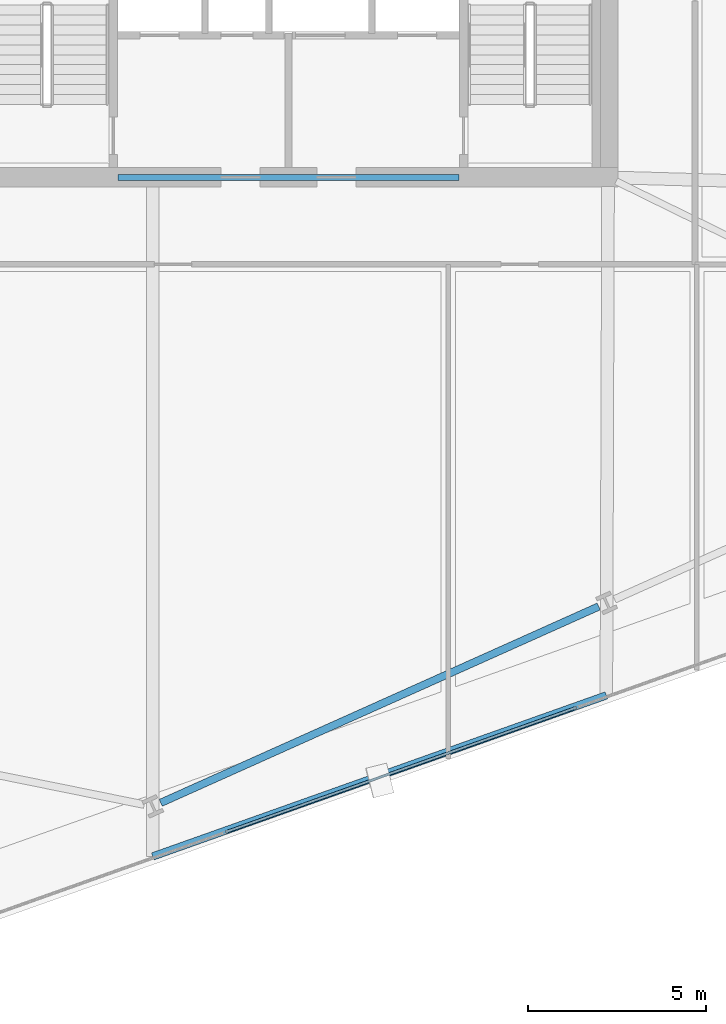
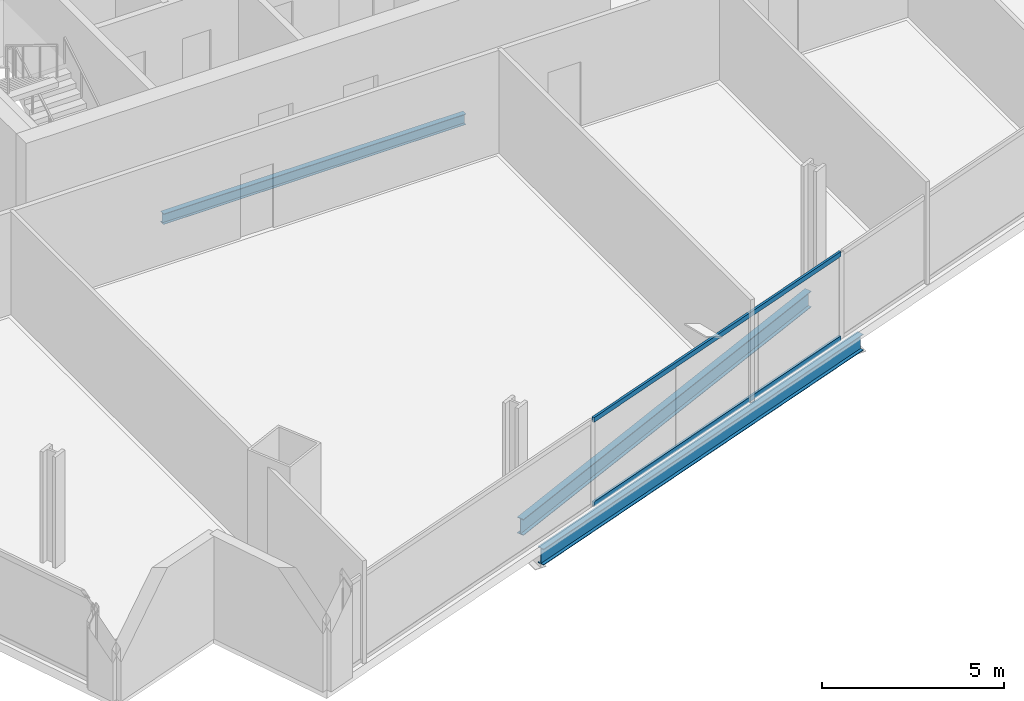
# One storey, part 7 of 33: 3 beams, 2 members, 1 element without a shape of its own.
"""IFC4 building model written with IfcOpenShell, lengths in metres."""

from ifc_helpers import new_model, si_unit, direction, frame, origin, origin_2d, place, context, subcontext, project, spatial, hollow_rectangle, i_section, extrude, material, material_profile, profile_set, type_object, element, aggregate, save


model = new_model("IFC4")

# Units and contexts
model_context = context("Model", 3, precision=1e-05, world=origin(), true_north=direction((0.0, 1.0)))
body_context = subcontext(model_context, "Body", "Model", "MODEL_VIEW")
ifc_project = project(units=[si_unit("LENGTHUNIT", "METRE"), si_unit("AREAUNIT", "SQUARE_METRE"), si_unit("VOLUMEUNIT", "CUBIC_METRE"), si_unit("PLANEANGLEUNIT", "RADIAN"), si_unit("MASSUNIT", "GRAM", prefix="KILO")], contexts=[model_context])

# Site, building, storey
site_placement = place(None, origin())
site = spatial("IfcSite", under=ifc_project, at=site_placement, CompositionType="ELEMENT")
building_placement = place(site_placement, origin())
building = spatial("IfcBuilding", under=site, at=building_placement, Name="Haldenkirk Collegiate Tower", CompositionType="ELEMENT")
storey_placement = place(building_placement, frame((0.0, 0.0, 94.199951171875)))
storey = spatial("IfcBuildingStorey", under=building, at=storey_placement, Name="L22", CompositionType="ELEMENT", Elevation=94.199951171875)

# Beams
ifc_material_1 = material(Name="Steel ASTM A992 Grade 50", Category="steel")
ifc_material_profile_1 = material_profile(ifc_material_1, i_section(OverallWidth=0.1708984375, OverallDepth=0.35595703125, WebThickness=0.007080078125, FlangeThickness=0.01171875, at=origin_2d()), Name="W14X34")
ifc_profile_set_1 = profile_set([ifc_material_profile_1], Name="Steel ASTM A992 Grade 50")
beam_type_1 = type_object("IfcBeamType", Name="BM-LINTEL-W14X34", PredefinedType="LINTEL", material=ifc_profile_set_1)
beam_1_placement = place(storey_placement, frame((31.199951171875, 18.0, -0.47802734375), z_axis=(1.0, 0.0, 0.0), x_axis=(0.0, 1.0, 0.0)))
element("IfcBeam", 1, at=beam_1_placement, inside=storey, type_object=beam_type_1, Name="L22 south core coupling lintel", PredefinedType="LINTEL", context=body_context, shape_type="SweptSolid", body=[
    extrude(i_section(OverallWidth=0.1708984375, OverallDepth=0.35595703125, WebThickness=0.007080078125, FlangeThickness=0.01171875, at=origin_2d()), origin(), (0.0, 0.0, 1.0), 9.60009765625),
])
ifc_material_profile_2 = material_profile(ifc_material_1, i_section(OverallWidth=0.2119140625, OverallDepth=0.5439453125, WebThickness=0.01318359375, FlangeThickness=0.021240234375, at=origin_2d()), Name="W21X83")
ifc_profile_set_2 = profile_set([ifc_material_profile_2], Name="Steel ASTM A992 Grade 50")
beam_type_2 = type_object("IfcBeamType", Name="BM-SPANDREL-W21X83", PredefinedType="SPANDREL", material=ifc_profile_set_2)
beam_2_placement = place(storey_placement, frame((32.405517578125, 0.3876953125, -0.572021484375), z_axis=(0.912476765144, 0.409128528793, 0.0), x_axis=(-0.409128528793, 0.912476765144, 0.0)))
element("IfcBeam", 2, at=beam_2_placement, inside=storey, type_object=beam_type_2, Name="L22 perimeter spandrel beam 02", PredefinedType="SPANDREL", context=body_context, shape_type="SweptSolid", body=[
    extrude(i_section(OverallWidth=0.2119140625, OverallDepth=0.5439453125, WebThickness=0.01318359375, FlangeThickness=0.021240234375, at=origin_2d()), origin(), (0.0, 0.0, 1.0), 13.512939453125),
])
beam_3_placement = place(storey_placement, frame((32.181396484375, -1.121337890625, -0.572021484375), z_axis=(0.942352991775, 0.334620440039, 0.0), x_axis=(-0.334620440039, 0.942352991775, 0.0)))
element("IfcBeam", 3, at=beam_3_placement, inside=storey, type_object=beam_type_2, Name="L22 outer facade edge beam 1", PredefinedType="SPANDREL", context=body_context, shape_type="SweptSolid", body=[
    extrude(i_section(OverallWidth=0.2119140625, OverallDepth=0.5439453125, WebThickness=0.01318359375, FlangeThickness=0.021240234375, at=origin_2d()), origin(), (0.0, 0.0, 1.0), 13.551025390625),
])

# Curtain wall, members
ifc_material_2 = material(Name="Anodised architectural bronze aluminium", Category="aluminium")
curtain_wall_type = type_object("IfcCurtainWallType", Name="CW-SYS2-CONCAVE", PredefinedType="USERDEFINED", material=ifc_material_2)
curtain_wall_placement = place(storey_placement, origin())
curtain_wall = element("IfcCurtainWall", 4, at=curtain_wall_placement, inside=storey, type_object=curtain_wall_type, Name="L22 South concave recessed bronze-anodised curtain wall", ObjectType="UNITISED CURTAIN WALL", PredefinedType="USERDEFINED")
ifc_material_profile_3 = material_profile(ifc_material_2, hollow_rectangle(XDim=0.074951171875, YDim=0.159912109375, WallThickness=0.0048828125, at=origin_2d()), Name="CW-TRN-02")
ifc_profile_set_3 = profile_set([ifc_material_profile_3], Name="Anodised architectural bronze aluminium")
member_type = type_object("IfcMemberType", Name="CW-TRN-02", PredefinedType="USERDEFINED", material=ifc_profile_set_3)
member_1_placement = place(storey_placement, frame((44.102783203125, 3.069580078125, 0.03759765625), z_axis=(-0.942345733639, -0.33464087959, 0.0), x_axis=(0.33464087959, -0.942345733639, 0.0)))
member_1 = element("IfcMember", 5, at=member_1_placement, type_object=member_type, Name="CW-02 transom 3.1", ObjectType="TRANSOM", PredefinedType="USERDEFINED", context=body_context, shape_type="SweptSolid", body=[
    extrude(hollow_rectangle(XDim=0.074951171875, YDim=0.159912109375, WallThickness=0.0048828125, at=origin_2d()), origin(), (0.0, 0.0, 1.0), 10.47509765625),
])
member_2_placement = place(storey_placement, frame((44.102783203125, 3.069580078125, 2.863525390625), z_axis=(-0.942345733639, -0.33464087959, 0.0), x_axis=(0.33464087959, -0.942345733639, 0.0)))
member_2 = element("IfcMember", 6, at=member_2_placement, type_object=member_type, Name="CW-02 transom 3.2", ObjectType="TRANSOM", PredefinedType="USERDEFINED", context=body_context, shape_type="SweptSolid", body=[
    extrude(hollow_rectangle(XDim=0.074951171875, YDim=0.159912109375, WallThickness=0.0048828125, at=origin_2d()), origin(), (0.0, 0.0, 1.0), 10.47509765625),
])
aggregate(curtain_wall, [member_1, member_2])

save(model, "model.ifc")
